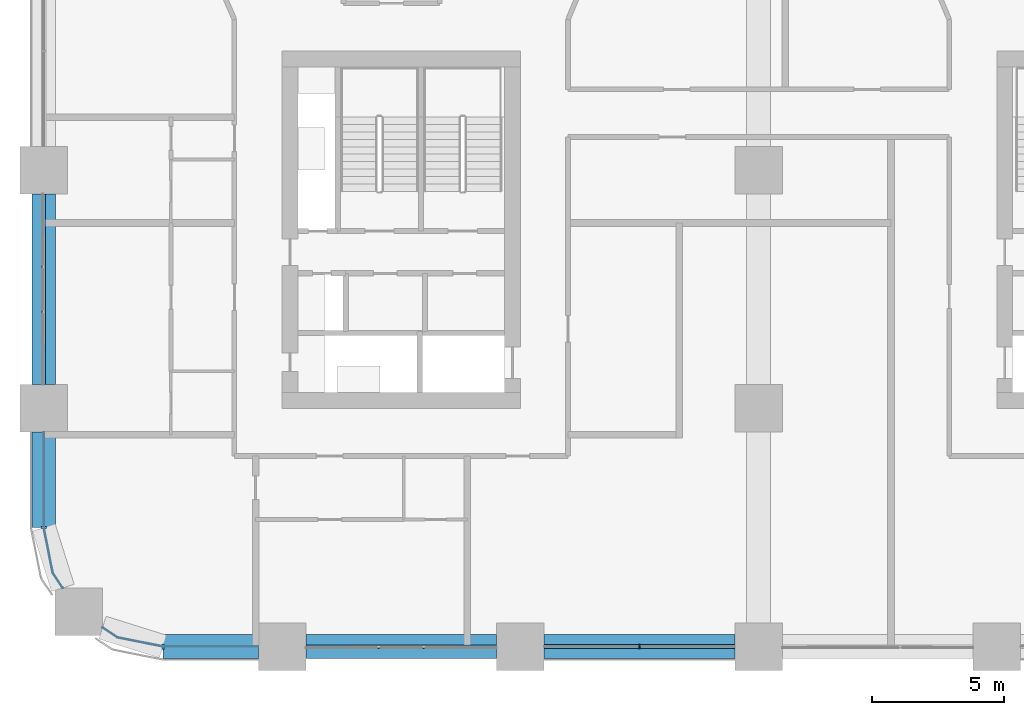
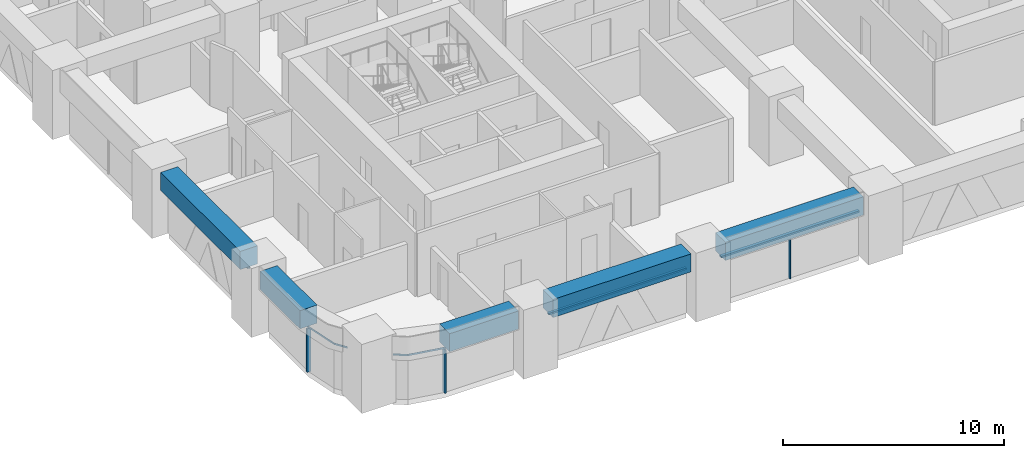
# One storey, part 2 of 23: 8 members, 5 beams, 5 elements without a shape of their own.
"""IFC4 building model written with IfcOpenShell, lengths in metres."""

from ifc_helpers import new_model, si_unit, direction, frame, origin, origin_2d, place, context, subcontext, project, spatial, polyline, rectangle, outline, extrude, material, material_profile, profile_set, type_object, element, aggregate, save


model = new_model("IFC4")

# Units and contexts
model_context = context("Model", 3, precision=1e-05, world=origin(), true_north=direction((0.0, 1.0)))
body_context = subcontext(model_context, "Body", "Model", "MODEL_VIEW")
ifc_project = project(units=[si_unit("LENGTHUNIT", "METRE"), si_unit("AREAUNIT", "SQUARE_METRE"), si_unit("VOLUMEUNIT", "CUBIC_METRE"), si_unit("PLANEANGLEUNIT", "RADIAN"), si_unit("MASSUNIT", "GRAM", prefix="KILO")], contexts=[model_context])

# Site, building, storey
site_placement = place(None, origin())
site = spatial("IfcSite", under=ifc_project, at=site_placement, CompositionType="ELEMENT")
building_placement = place(site_placement, origin())
building = spatial("IfcBuilding", under=site, at=building_placement, Name="Tessera Arch", CompositionType="ELEMENT")
storey_placement = place(building_placement, frame((0.0, 0.0, 34.800048828125)))
storey = spatial("IfcBuildingStorey", under=building, at=storey_placement, Name="L06", CompositionType="ELEMENT", Elevation=34.800048828125)

# Curtain wall, members
ifc_material_1 = material(Name="CW1 curtain wall")
curtain_wall_type_1 = type_object("IfcCurtainWallType", Name="CW1 curtain wall", PredefinedType="NOTDEFINED", material=ifc_material_1)
curtain_wall_1_placement = place(storey_placement, origin())
curtain_wall_1 = element("IfcCurtainWall", 1, at=curtain_wall_1_placement, inside=storey, type_object=curtain_wall_type_1, Name="CW1 curtain wall S0.0/1 L06", PredefinedType="NOTDEFINED")
ifc_material_2 = material(Name="Anodised aluminium pale metal", Category="aluminium")
ifc_material_profile_1 = material_profile(ifc_material_2, rectangle(XDim=0.159912109375, YDim=0.06005859375, at=origin_2d()), Name="AL 60x160")
ifc_profile_set_1 = profile_set([ifc_material_profile_1], Name="Anodised aluminium pale metal")
member_type_1 = type_object("IfcMemberType", Name="CW1 mullion", PredefinedType="MULLION", material=ifc_profile_set_1)
member_1_placement = place(storey_placement, frame((22.5, 0.0, 0.0), z_axis=(0.0, 0.0, 1.0), x_axis=(0.0, 1.0, 0.0)))
member_1 = element("IfcMember", 2, at=member_1_placement, type_object=member_type_1, Name="CW1 mullion S0.0/1 1", PredefinedType="MULLION", context=body_context, shape_type="SweptSolid", body=[
    extrude(rectangle(XDim=0.159912109375, YDim=0.06005859375, at=origin_2d()), origin(), (0.0, 0.0, 1.0), 2.39990234375),
])
ifc_material_3 = material(Name="Anodised aluminium pale metal", Category="aluminium")
ifc_material_profile_2 = material_profile(ifc_material_3, rectangle(XDim=0.159912109375, YDim=0.10009765625, at=origin_2d()), Name="AL 160x100")
ifc_profile_set_2 = profile_set([ifc_material_profile_2], Name="Anodised aluminium pale metal")
member_type_2 = type_object("IfcMemberType", Name="CW1 transom", PredefinedType="USERDEFINED", material=ifc_profile_set_2)
member_2_placement = place(storey_placement, frame((18.89990234375, 0.0, 2.449951171875), z_axis=(1.0, 0.0, 0.0), x_axis=(0.0, 1.0, 0.0)))
member_2 = element("IfcMember", 3, at=member_2_placement, type_object=member_type_2, Name="CW1 transom S0.0/1 1.1", ObjectType="TRANSOM", PredefinedType="USERDEFINED", context=body_context, shape_type="SweptSolid", body=[
    extrude(rectangle(XDim=0.159912109375, YDim=0.10009765625, at=origin_2d()), origin(), (0.0, 0.0, 1.0), 7.2001953125),
])
aggregate(curtain_wall_1, [member_1, member_2])

# Curtain wall, member
ifc_material_4 = material(Name="CW2 curtain wall")
curtain_wall_type_2 = type_object("IfcCurtainWallType", Name="CW2 curtain wall", PredefinedType="NOTDEFINED", material=ifc_material_4)
curtain_wall_2_placement = place(storey_placement, origin())
curtain_wall_2 = element("IfcCurtainWall", 4, at=curtain_wall_2_placement, inside=storey, type_object=curtain_wall_type_2, Name="CW2 curtain wall W0.0/5 L06", PredefinedType="NOTDEFINED")
ifc_material_5 = material(Name="Anodised aluminium pale metal", Category="aluminium")
ifc_material_profile_3 = material_profile(ifc_material_5, rectangle(XDim=0.199951171875, YDim=0.080078125, at=origin_2d()), Name="AL 80x200")
ifc_profile_set_3 = profile_set([ifc_material_profile_3], Name="Anodised aluminium pale metal")
member_type_3 = type_object("IfcMemberType", Name="CW2 mullion", PredefinedType="MULLION", material=ifc_profile_set_3)
member_3_placement = place(storey_placement, frame((0.0, 4.5, 0.0), z_axis=(0.0, 0.0, 1.0), x_axis=(1.0, 0.0, 0.0)))
member_3 = element("IfcMember", 5, at=member_3_placement, type_object=member_type_3, Name="CW2 mullion W0.0/5 1", PredefinedType="MULLION", context=body_context, shape_type="SweptSolid", body=[
    extrude(rectangle(XDim=0.199951171875, YDim=0.080078125, at=origin_2d()), origin(), (0.0, 0.0, 1.0), 2.39990234375),
])

curtain_wall_3_placement = place(storey_placement, origin())
curtain_wall_3 = element("IfcCurtainWall", 6, at=curtain_wall_3_placement, inside=storey, type_object=curtain_wall_type_2, Name="CW2 curtain wall S0.0/5 L06", PredefinedType="NOTDEFINED")
member_4_placement = place(storey_placement, frame((4.5, 0.0, 0.0), z_axis=(0.0, 0.0, 1.0), x_axis=(0.0, 1.0, 0.0)))
member_4 = element("IfcMember", 7, at=member_4_placement, type_object=member_type_3, Name="CW2 mullion S0.0/5 1", PredefinedType="MULLION", context=body_context, shape_type="SweptSolid", body=[
    extrude(rectangle(XDim=0.199951171875, YDim=0.080078125, at=origin_2d()), origin(), (0.0, 0.0, 1.0), 2.39990234375),
])

# Member
ifc_material_6 = material(Name="Anodised aluminium pale metal", Category="aluminium")
ifc_material_profile_4 = material_profile(ifc_material_6, rectangle(XDim=0.199951171875, YDim=0.10009765625, at=origin_2d()), Name="AL 200x100")
ifc_profile_set_4 = profile_set([ifc_material_profile_4], Name="Anodised aluminium pale metal")
member_type_4 = type_object("IfcMemberType", Name="CW2 transom", PredefinedType="USERDEFINED", material=ifc_profile_set_4)
member_5_placement = place(storey_placement, frame((0.0, 0.0, 2.39990234375)))
member_5 = element("IfcMember", 8, at=member_5_placement, type_object=member_type_4, Name="CW2 transom W0.0/5 1", ObjectType="TRANSOM", PredefinedType="USERDEFINED", context=body_context, shape_type="SweptSolid", body=[
    extrude(outline(polyline([(0.010009765625, 4.5009765625), (0.010009765625, 8.10009765625), (-0.010009765625, 8.10009765625), (-0.010009765625, 4.4990234375), (0.3330078125, 2.77392578125), (0.70849609375, 2.21240234375), (0.72509765625, 2.2236328125), (0.351806640625, 2.78173828125), (0.010009765625, 4.5009765625)])), origin(), (0.0, 0.0, 1.0), 0.10009765625),
])

aggregate(curtain_wall_2, [member_3, member_5])

member_6_placement = place(storey_placement, frame((0.0, 0.0, 2.39990234375)))
member_6 = element("IfcMember", 9, at=member_6_placement, type_object=member_type_4, Name="CW2 transom S0.0/5 1", ObjectType="TRANSOM", PredefinedType="USERDEFINED", context=body_context, shape_type="SweptSolid", body=[
    extrude(outline(polyline([(2.78173828125, 0.351806640625), (2.2236328125, 0.72509765625), (2.21240234375, 0.70849609375), (2.77392578125, 0.3330078125), (4.4990234375, -0.010009765625), (8.10009765625, -0.010009765625), (8.10009765625, 0.010009765625), (4.5009765625, 0.010009765625), (2.78173828125, 0.351806640625)])), origin(), (0.0, 0.0, 1.0), 0.10009765625),
])

aggregate(curtain_wall_3, [member_4, member_6])

# Curtain wall, member
ifc_material_7 = material(Name="CW3 curtain wall")
curtain_wall_type_3 = type_object("IfcCurtainWallType", Name="CW3 curtain wall", PredefinedType="NOTDEFINED", material=ifc_material_7)
curtain_wall_4_placement = place(storey_placement, origin())
curtain_wall_4 = element("IfcCurtainWall", 10, at=curtain_wall_4_placement, inside=storey, type_object=curtain_wall_type_3, Name="CW3 curtain wall S0.0/0 L06", PredefinedType="NOTDEFINED")
ifc_material_8 = material(Name="Anodised aluminium pale metal", Category="aluminium")
ifc_material_profile_5 = material_profile(ifc_material_8, rectangle(XDim=0.139892578125, YDim=0.10009765625, at=origin_2d()), Name="AL 140x100")
ifc_profile_set_5 = profile_set([ifc_material_profile_5], Name="Anodised aluminium pale metal")
member_type_5 = type_object("IfcMemberType", Name="CW3 transom", PredefinedType="USERDEFINED", material=ifc_profile_set_5)
member_7_placement = place(storey_placement, frame((9.89990234375, 0.0, 2.449951171875), z_axis=(1.0, 0.0, 0.0), x_axis=(0.0, 1.0, 0.0)))
member_7 = element("IfcMember", 11, at=member_7_placement, type_object=member_type_5, Name="CW3 transom S0.0/0 1.1", ObjectType="TRANSOM", PredefinedType="USERDEFINED", context=body_context, shape_type="SweptSolid", body=[
    extrude(rectangle(XDim=0.139892578125, YDim=0.10009765625, at=origin_2d()), origin(), (0.0, 0.0, 1.0), 7.2001953125),
])
aggregate(curtain_wall_4, [member_7])

curtain_wall_5_placement = place(storey_placement, origin())
curtain_wall_5 = element("IfcCurtainWall", 12, at=curtain_wall_5_placement, inside=storey, type_object=curtain_wall_type_3, Name="CW3 curtain wall W0.0/4 L06", PredefinedType="NOTDEFINED")
member_8_placement = place(storey_placement, frame((0.0, 17.10009765625, 2.449951171875), z_axis=(0.0, -1.0, 0.0), x_axis=(1.0, 0.0, 0.0)))
member_8 = element("IfcMember", 13, at=member_8_placement, type_object=member_type_5, Name="CW3 transom W0.0/4 1.1", ObjectType="TRANSOM", PredefinedType="USERDEFINED", context=body_context, shape_type="SweptSolid", body=[
    extrude(rectangle(XDim=0.139892578125, YDim=0.10009765625, at=origin_2d()), origin(), (0.0, 0.0, 1.0), 7.2001953125),
])
aggregate(curtain_wall_5, [member_8])

# Beams
ifc_material_9 = material(Name="Concrete C80/95", Category="concrete")
ifc_material_profile_6 = material_profile(ifc_material_9, rectangle(XDim=0.89990234375, YDim=1.0, at=origin_2d()), Name="RC spandrel beam 900 x 1000 Concrete C80/95")
ifc_profile_set_6 = profile_set([ifc_material_profile_6], Name="Concrete C80/95")
beam_type = type_object("IfcBeamType", Name="RC spandrel beam 900 x 1000 Concrete C80/95", PredefinedType="BEAM", material=ifc_profile_set_6)
for number, where, z_axis, x_axis, name in (
    (14, (9.89990234375, 0.0, 3.0), (1.0, 0.0, 0.0), (0.0, 1.0, 0.0), "Spandrel beam L06 S0.0/0"),
    (15, (18.89990234375, 0.0, 3.0), (1.0, 0.0, 0.0), (0.0, 1.0, 0.0), "Spandrel beam L06 S0.0/1"),
    (16, (0.0, 17.10009765625, 3.0), (0.0, -1.0, 0.0), (1.0, 0.0, 0.0), "Spandrel beam L06 W0.0/4"),
):
    element("IfcBeam", number, at=place(storey_placement, frame(where, z_axis=z_axis, x_axis=x_axis)), inside=storey, type_object=beam_type, Name=name, PredefinedType="BEAM", context=body_context, shape_type="SweptSolid", body=[
        extrude(rectangle(XDim=0.89990234375, YDim=1.0, at=origin_2d()), origin(), (0.0, 0.0, 1.0), 7.2001953125),
    ])
for number, where, z_axis, x_axis, name in (
    (17, (0.0, 8.10009765625, 3.0), (0.0, -1.0, 0.0), (1.0, 0.0, 0.0), "Spandrel beam L06 W0.0/5.1"),
    (18, (4.5, 0.0, 3.0), (1.0, 0.0, 0.0), (0.0, 1.0, 0.0), "Spandrel beam L06 S0.0/5.2"),
):
    element("IfcBeam", number, at=place(storey_placement, frame(where, z_axis=z_axis, x_axis=x_axis)), inside=storey, type_object=beam_type, Name=name, PredefinedType="BEAM", context=body_context, shape_type="SweptSolid", body=[
        extrude(rectangle(XDim=0.89990234375, YDim=1.0, at=origin_2d()), origin(), (0.0, 0.0, 1.0), 3.60009765625),
    ])

save(model, "model.ifc")
